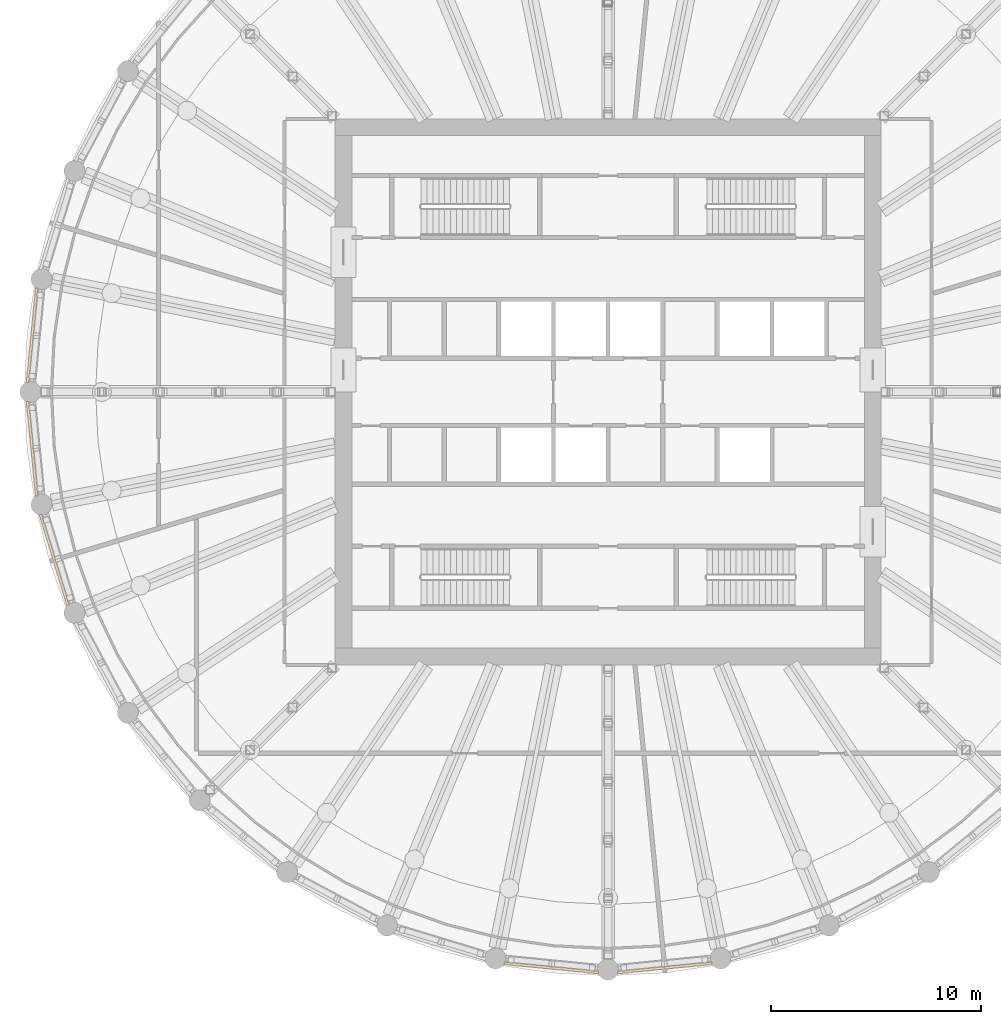
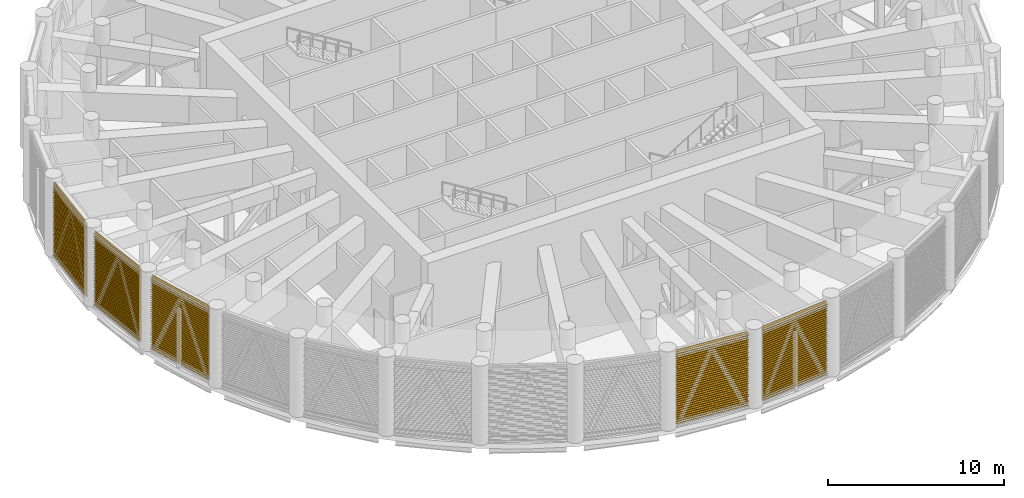
# One storey, part 18 of 24: 5 shading devices, 5 elements without a shape of their own.
"""IFC4 building model written with IfcOpenShell, lengths in metres."""

from ifc_helpers import new_model, si_unit, direction, frame, origin, place, context, subcontext, project, spatial, polyline, outline, extrude, material, material_profile, profile_set, type_object, element, aggregate, save


model = new_model("IFC4")

# Units and contexts
model_context = context("Model", 3, precision=1e-05, world=origin(), true_north=direction((0.0, 1.0)))
body_context = subcontext(model_context, "Body", "Model", "MODEL_VIEW")
ifc_project = project(units=[si_unit("LENGTHUNIT", "METRE"), si_unit("AREAUNIT", "SQUARE_METRE"), si_unit("VOLUMEUNIT", "CUBIC_METRE"), si_unit("PLANEANGLEUNIT", "RADIAN"), si_unit("MASSUNIT", "GRAM", prefix="KILO")], contexts=[model_context])

# Site, building, storey
site_placement = place(None, origin())
site = spatial("IfcSite", under=ifc_project, at=site_placement, CompositionType="ELEMENT")
building_placement = place(site_placement, origin())
building = spatial("IfcBuilding", under=site, at=building_placement, Name="Corvane Civic Tower", CompositionType="ELEMENT")
storey_placement = place(building_placement, frame((0.0, 0.0, 257.5)))
storey = spatial("IfcBuildingStorey", under=building, at=storey_placement, Name="L61", CompositionType="ELEMENT", Elevation=257.5)

# Curtain wall, shading device
ifc_material_1 = material(Name="Anodised aluminium bronze", Category="aluminium")
curtain_wall_type = type_object("IfcCurtainWallType", Name="TOWER CW-LV LOUVRE SCREEN WALL", PredefinedType="NOTDEFINED", material=ifc_material_1)
curtain_wall_1_placement = place(storey_placement, origin())
curtain_wall_1 = element("IfcCurtainWall", 1, at=curtain_wall_1_placement, inside=storey, type_object=curtain_wall_type, Name="Louvre screen wall CW-LV L61 bay 16", PredefinedType="NOTDEFINED")
ifc_material_2 = material(Name="Anodised aluminium bronze", Category="aluminium")
ifc_material_profile = material_profile(ifc_material_2, outline(polyline([(-0.06005859375, -2.56494140625), (-0.0400390625, -2.56494140625), (0.06005859375, -2.492919921875), (0.06005859375, -2.472900390625), (-0.0400390625, -2.544921875), (-0.0400390625, -2.4140625), (0.06005859375, -2.342041015625), (0.06005859375, -2.322021484375), (-0.0400390625, -2.39404296875), (-0.0400390625, -2.26318359375), (0.06005859375, -2.191162109375), (0.06005859375, -2.171142578125), (-0.0400390625, -2.2431640625), (-0.0400390625, -2.1123046875), (0.06005859375, -2.040283203125), (0.06005859375, -2.0205078125), (-0.0400390625, -2.09228515625), (-0.0400390625, -1.96142578125), (0.06005859375, -1.889404296875), (0.06005859375, -1.869384765625), (-0.0400390625, -1.94140625), (-0.0400390625, -1.810546875), (0.06005859375, -1.738525390625), (0.06005859375, -1.718505859375), (-0.0400390625, -1.79052734375), (-0.0400390625, -1.65966796875), (0.06005859375, -1.587646484375), (0.06005859375, -1.567626953125), (-0.0400390625, -1.6396484375), (-0.0400390625, -1.5087890625), (0.06005859375, -1.436767578125), (0.06005859375, -1.416748046875), (-0.0400390625, -1.48876953125), (-0.0400390625, -1.35791015625), (0.06005859375, -1.285888671875), (0.06005859375, -1.265869140625), (-0.0400390625, -1.337890625), (-0.0400390625, -1.20703125), (0.06005859375, -1.135009765625), (0.06005859375, -1.114990234375), (-0.0400390625, -1.18701171875), (-0.0400390625, -1.05615234375), (0.06005859375, -0.984130859375), (0.06005859375, -0.964111328125), (-0.0400390625, -1.0361328125), (-0.0400390625, -0.9052734375), (0.06005859375, -0.833251953125), (0.06005859375, -0.813232421875), (-0.0400390625, -0.88525390625), (-0.0400390625, -0.75439453125), (0.06005859375, -0.682373046875), (0.06005859375, -0.662353515625), (-0.0400390625, -0.734375), (-0.0400390625, -0.603515625), (0.06005859375, -0.531494140625), (0.06005859375, -0.511474609375), (-0.0400390625, -0.58349609375), (-0.0400390625, -0.45263671875), (0.06005859375, -0.380615234375), (0.06005859375, -0.360595703125), (-0.0400390625, -0.4326171875), (-0.0400390625, -0.3017578125), (0.06005859375, -0.229736328125), (0.06005859375, -0.209716796875), (-0.0400390625, -0.28173828125), (-0.0400390625, -0.15087890625), (0.06005859375, -0.078857421875), (0.06005859375, -0.058837890625), (-0.0400390625, -0.130859375), (-0.0400390625, 0.0), (0.06005859375, 0.072021484375), (0.06005859375, 0.092041015625), (-0.0400390625, 0.02001953125), (-0.0400390625, 0.15087890625), (0.06005859375, 0.222900390625), (0.06005859375, 0.242919921875), (-0.0400390625, 0.1708984375), (-0.0400390625, 0.3017578125), (0.06005859375, 0.373779296875), (0.06005859375, 0.393798828125), (-0.0400390625, 0.32177734375), (-0.0400390625, 0.45263671875), (0.06005859375, 0.524658203125), (0.06005859375, 0.544677734375), (-0.0400390625, 0.47265625), (-0.0400390625, 0.603515625), (0.06005859375, 0.675537109375), (0.06005859375, 0.695556640625), (-0.0400390625, 0.62353515625), (-0.0400390625, 0.75439453125), (0.06005859375, 0.826416015625), (0.06005859375, 0.846435546875), (-0.0400390625, 0.7744140625), (-0.0400390625, 0.9052734375), (0.06005859375, 0.977294921875), (0.06005859375, 0.997314453125), (-0.0400390625, 0.92529296875), (-0.0400390625, 1.05615234375), (0.06005859375, 1.128173828125), (0.06005859375, 1.148193359375), (-0.0400390625, 1.076171875), (-0.0400390625, 1.20703125), (0.06005859375, 1.279052734375), (0.06005859375, 1.299072265625), (-0.0400390625, 1.22705078125), (-0.0400390625, 1.35791015625), (0.06005859375, 1.429931640625), (0.06005859375, 1.449951171875), (-0.0400390625, 1.3779296875), (-0.0400390625, 1.5087890625), (0.06005859375, 1.580810546875), (0.06005859375, 1.600830078125), (-0.0400390625, 1.52880859375), (-0.0400390625, 1.65966796875), (0.06005859375, 1.731689453125), (0.06005859375, 1.751708984375), (-0.0400390625, 1.6796875), (-0.0400390625, 1.810546875), (0.06005859375, 1.882568359375), (0.06005859375, 1.902587890625), (-0.0400390625, 1.83056640625), (-0.0400390625, 1.96142578125), (0.06005859375, 2.033447265625), (0.06005859375, 2.053466796875), (-0.0400390625, 1.9814453125), (-0.0400390625, 2.1123046875), (0.06005859375, 2.184326171875), (0.06005859375, 2.204345703125), (-0.0400390625, 2.13232421875), (-0.0400390625, 2.26318359375), (0.06005859375, 2.335205078125), (0.06005859375, 2.355224609375), (-0.0400390625, 2.283203125), (-0.0400390625, 2.4140625), (0.06005859375, 2.486083984375), (0.06005859375, 2.506103515625), (-0.0400390625, 2.43408203125), (-0.0400390625, 2.56494140625), (-0.06005859375, 2.56494140625), (-0.06005859375, -2.56494140625)])), Name="TOWER LOUVRE BANK 5130 BRONZE")
ifc_profile_set = profile_set([ifc_material_profile], Name="Anodised aluminium bronze")
shading_device_type = type_object("IfcShadingDeviceType", Name="TOWER LOUVRE BANK 5130 BRONZE", PredefinedType="USERDEFINED", material=ifc_profile_set)
shading_device_1_placement = place(storey_placement, frame((4.94775390625, -27.192626953125, 2.68505859375), z_axis=(-0.995182207386, -0.098042715701, 0.0), x_axis=(0.098042715701, -0.995182207386, 0.0)))
shading_device_1 = element("IfcShadingDevice", 2, at=shading_device_1_placement, type_object=shading_device_type, Name="Louvre bank L61 16.1", ObjectType="LOUVRE", PredefinedType="USERDEFINED", context=body_context, shape_type="SweptSolid", body=[
    extrude(outline(polyline([(-0.06005859375, -2.56494140625), (-0.0400390625, -2.56494140625), (0.06005859375, -2.492919921875), (0.06005859375, -2.472900390625), (-0.0400390625, -2.544921875), (-0.0400390625, -2.4140625), (0.06005859375, -2.342041015625), (0.06005859375, -2.322021484375), (-0.0400390625, -2.39404296875), (-0.0400390625, -2.26318359375), (0.06005859375, -2.191162109375), (0.06005859375, -2.171142578125), (-0.0400390625, -2.2431640625), (-0.0400390625, -2.1123046875), (0.06005859375, -2.040283203125), (0.06005859375, -2.0205078125), (-0.0400390625, -2.09228515625), (-0.0400390625, -1.96142578125), (0.06005859375, -1.889404296875), (0.06005859375, -1.869384765625), (-0.0400390625, -1.94140625), (-0.0400390625, -1.810546875), (0.06005859375, -1.738525390625), (0.06005859375, -1.718505859375), (-0.0400390625, -1.79052734375), (-0.0400390625, -1.65966796875), (0.06005859375, -1.587646484375), (0.06005859375, -1.567626953125), (-0.0400390625, -1.6396484375), (-0.0400390625, -1.5087890625), (0.06005859375, -1.436767578125), (0.06005859375, -1.416748046875), (-0.0400390625, -1.48876953125), (-0.0400390625, -1.35791015625), (0.06005859375, -1.285888671875), (0.06005859375, -1.265869140625), (-0.0400390625, -1.337890625), (-0.0400390625, -1.20703125), (0.06005859375, -1.135009765625), (0.06005859375, -1.114990234375), (-0.0400390625, -1.18701171875), (-0.0400390625, -1.05615234375), (0.06005859375, -0.984130859375), (0.06005859375, -0.964111328125), (-0.0400390625, -1.0361328125), (-0.0400390625, -0.9052734375), (0.06005859375, -0.833251953125), (0.06005859375, -0.813232421875), (-0.0400390625, -0.88525390625), (-0.0400390625, -0.75439453125), (0.06005859375, -0.682373046875), (0.06005859375, -0.662353515625), (-0.0400390625, -0.734375), (-0.0400390625, -0.603515625), (0.06005859375, -0.531494140625), (0.06005859375, -0.511474609375), (-0.0400390625, -0.58349609375), (-0.0400390625, -0.45263671875), (0.06005859375, -0.380615234375), (0.06005859375, -0.360595703125), (-0.0400390625, -0.4326171875), (-0.0400390625, -0.3017578125), (0.06005859375, -0.229736328125), (0.06005859375, -0.209716796875), (-0.0400390625, -0.28173828125), (-0.0400390625, -0.15087890625), (0.06005859375, -0.078857421875), (0.06005859375, -0.058837890625), (-0.0400390625, -0.130859375), (-0.0400390625, 0.0), (0.06005859375, 0.072021484375), (0.06005859375, 0.092041015625), (-0.0400390625, 0.02001953125), (-0.0400390625, 0.15087890625), (0.06005859375, 0.222900390625), (0.06005859375, 0.242919921875), (-0.0400390625, 0.1708984375), (-0.0400390625, 0.3017578125), (0.06005859375, 0.373779296875), (0.06005859375, 0.393798828125), (-0.0400390625, 0.32177734375), (-0.0400390625, 0.45263671875), (0.06005859375, 0.524658203125), (0.06005859375, 0.544677734375), (-0.0400390625, 0.47265625), (-0.0400390625, 0.603515625), (0.06005859375, 0.675537109375), (0.06005859375, 0.695556640625), (-0.0400390625, 0.62353515625), (-0.0400390625, 0.75439453125), (0.06005859375, 0.826416015625), (0.06005859375, 0.846435546875), (-0.0400390625, 0.7744140625), (-0.0400390625, 0.9052734375), (0.06005859375, 0.977294921875), (0.06005859375, 0.997314453125), (-0.0400390625, 0.92529296875), (-0.0400390625, 1.05615234375), (0.06005859375, 1.128173828125), (0.06005859375, 1.148193359375), (-0.0400390625, 1.076171875), (-0.0400390625, 1.20703125), (0.06005859375, 1.279052734375), (0.06005859375, 1.299072265625), (-0.0400390625, 1.22705078125), (-0.0400390625, 1.35791015625), (0.06005859375, 1.429931640625), (0.06005859375, 1.449951171875), (-0.0400390625, 1.3779296875), (-0.0400390625, 1.5087890625), (0.06005859375, 1.580810546875), (0.06005859375, 1.600830078125), (-0.0400390625, 1.52880859375), (-0.0400390625, 1.65966796875), (0.06005859375, 1.731689453125), (0.06005859375, 1.751708984375), (-0.0400390625, 1.6796875), (-0.0400390625, 1.810546875), (0.06005859375, 1.882568359375), (0.06005859375, 1.902587890625), (-0.0400390625, 1.83056640625), (-0.0400390625, 1.96142578125), (0.06005859375, 2.033447265625), (0.06005859375, 2.053466796875), (-0.0400390625, 1.9814453125), (-0.0400390625, 2.1123046875), (0.06005859375, 2.184326171875), (0.06005859375, 2.204345703125), (-0.0400390625, 2.13232421875), (-0.0400390625, 2.26318359375), (0.06005859375, 2.335205078125), (0.06005859375, 2.355224609375), (-0.0400390625, 2.283203125), (-0.0400390625, 2.4140625), (0.06005859375, 2.486083984375), (0.06005859375, 2.506103515625), (-0.0400390625, 2.43408203125), (-0.0400390625, 2.56494140625), (-0.06005859375, 2.56494140625), (-0.06005859375, -2.56494140625)])), origin(), (0.0, 0.0, 1.0), 4.51708984375),
])
aggregate(curtain_wall_1, [shading_device_1])

curtain_wall_2_placement = place(storey_placement, origin())
curtain_wall_2 = element("IfcCurtainWall", 3, at=curtain_wall_2_placement, inside=storey, type_object=curtain_wall_type, Name="Louvre screen wall CW-LV L61 bay 17", PredefinedType="NOTDEFINED")
shading_device_2_placement = place(storey_placement, frame((-0.452392578125, -27.635498046875, 2.68505859375), z_axis=(-0.995182207386, 0.098042715701, 0.0), x_axis=(-0.098042715701, -0.995182207386, 0.0)))
shading_device_2 = element("IfcShadingDevice", 4, at=shading_device_2_placement, type_object=shading_device_type, Name="Louvre bank L61 17.1", ObjectType="LOUVRE", PredefinedType="USERDEFINED", context=body_context, shape_type="SweptSolid", body=[
    extrude(outline(polyline([(-0.06005859375, -2.56494140625), (-0.0400390625, -2.56494140625), (0.06005859375, -2.492919921875), (0.06005859375, -2.472900390625), (-0.0400390625, -2.544921875), (-0.0400390625, -2.4140625), (0.06005859375, -2.342041015625), (0.06005859375, -2.322021484375), (-0.0400390625, -2.39404296875), (-0.0400390625, -2.26318359375), (0.06005859375, -2.191162109375), (0.06005859375, -2.171142578125), (-0.0400390625, -2.2431640625), (-0.0400390625, -2.1123046875), (0.06005859375, -2.040283203125), (0.06005859375, -2.0205078125), (-0.0400390625, -2.09228515625), (-0.0400390625, -1.96142578125), (0.06005859375, -1.889404296875), (0.06005859375, -1.869384765625), (-0.0400390625, -1.94140625), (-0.0400390625, -1.810546875), (0.06005859375, -1.738525390625), (0.06005859375, -1.718505859375), (-0.0400390625, -1.79052734375), (-0.0400390625, -1.65966796875), (0.06005859375, -1.587646484375), (0.06005859375, -1.567626953125), (-0.0400390625, -1.6396484375), (-0.0400390625, -1.5087890625), (0.06005859375, -1.436767578125), (0.06005859375, -1.416748046875), (-0.0400390625, -1.48876953125), (-0.0400390625, -1.35791015625), (0.06005859375, -1.285888671875), (0.06005859375, -1.265869140625), (-0.0400390625, -1.337890625), (-0.0400390625, -1.20703125), (0.06005859375, -1.135009765625), (0.06005859375, -1.114990234375), (-0.0400390625, -1.18701171875), (-0.0400390625, -1.05615234375), (0.06005859375, -0.984130859375), (0.06005859375, -0.964111328125), (-0.0400390625, -1.0361328125), (-0.0400390625, -0.9052734375), (0.06005859375, -0.833251953125), (0.06005859375, -0.813232421875), (-0.0400390625, -0.88525390625), (-0.0400390625, -0.75439453125), (0.06005859375, -0.682373046875), (0.06005859375, -0.662353515625), (-0.0400390625, -0.734375), (-0.0400390625, -0.603515625), (0.06005859375, -0.531494140625), (0.06005859375, -0.511474609375), (-0.0400390625, -0.58349609375), (-0.0400390625, -0.45263671875), (0.06005859375, -0.380615234375), (0.06005859375, -0.360595703125), (-0.0400390625, -0.4326171875), (-0.0400390625, -0.3017578125), (0.06005859375, -0.229736328125), (0.06005859375, -0.209716796875), (-0.0400390625, -0.28173828125), (-0.0400390625, -0.15087890625), (0.06005859375, -0.078857421875), (0.06005859375, -0.058837890625), (-0.0400390625, -0.130859375), (-0.0400390625, 0.0), (0.06005859375, 0.072021484375), (0.06005859375, 0.092041015625), (-0.0400390625, 0.02001953125), (-0.0400390625, 0.15087890625), (0.06005859375, 0.222900390625), (0.06005859375, 0.242919921875), (-0.0400390625, 0.1708984375), (-0.0400390625, 0.3017578125), (0.06005859375, 0.373779296875), (0.06005859375, 0.393798828125), (-0.0400390625, 0.32177734375), (-0.0400390625, 0.45263671875), (0.06005859375, 0.524658203125), (0.06005859375, 0.544677734375), (-0.0400390625, 0.47265625), (-0.0400390625, 0.603515625), (0.06005859375, 0.675537109375), (0.06005859375, 0.695556640625), (-0.0400390625, 0.62353515625), (-0.0400390625, 0.75439453125), (0.06005859375, 0.826416015625), (0.06005859375, 0.846435546875), (-0.0400390625, 0.7744140625), (-0.0400390625, 0.9052734375), (0.06005859375, 0.977294921875), (0.06005859375, 0.997314453125), (-0.0400390625, 0.92529296875), (-0.0400390625, 1.05615234375), (0.06005859375, 1.128173828125), (0.06005859375, 1.148193359375), (-0.0400390625, 1.076171875), (-0.0400390625, 1.20703125), (0.06005859375, 1.279052734375), (0.06005859375, 1.299072265625), (-0.0400390625, 1.22705078125), (-0.0400390625, 1.35791015625), (0.06005859375, 1.429931640625), (0.06005859375, 1.449951171875), (-0.0400390625, 1.3779296875), (-0.0400390625, 1.5087890625), (0.06005859375, 1.580810546875), (0.06005859375, 1.600830078125), (-0.0400390625, 1.52880859375), (-0.0400390625, 1.65966796875), (0.06005859375, 1.731689453125), (0.06005859375, 1.751708984375), (-0.0400390625, 1.6796875), (-0.0400390625, 1.810546875), (0.06005859375, 1.882568359375), (0.06005859375, 1.902587890625), (-0.0400390625, 1.83056640625), (-0.0400390625, 1.96142578125), (0.06005859375, 2.033447265625), (0.06005859375, 2.053466796875), (-0.0400390625, 1.9814453125), (-0.0400390625, 2.1123046875), (0.06005859375, 2.184326171875), (0.06005859375, 2.204345703125), (-0.0400390625, 2.13232421875), (-0.0400390625, 2.26318359375), (0.06005859375, 2.335205078125), (0.06005859375, 2.355224609375), (-0.0400390625, 2.283203125), (-0.0400390625, 2.4140625), (0.06005859375, 2.486083984375), (0.06005859375, 2.506103515625), (-0.0400390625, 2.43408203125), (-0.0400390625, 2.56494140625), (-0.06005859375, 2.56494140625), (-0.06005859375, -2.56494140625)])), origin(), (0.0, 0.0, 1.0), 4.51708984375),
])
aggregate(curtain_wall_2, [shading_device_2])

curtain_wall_3_placement = place(storey_placement, origin())
curtain_wall_3 = element("IfcCurtainWall", 5, at=curtain_wall_3_placement, inside=storey, type_object=curtain_wall_type, Name="Louvre screen wall CW-LV L61 bay 23", PredefinedType="NOTDEFINED")
shading_device_3_placement = place(storey_placement, frame((-25.705078125, -10.15771484375, 2.68505859375), z_axis=(-0.2902818869, 0.956941182173, 0.0), x_axis=(-0.956941182173, -0.2902818869, 0.0)))
shading_device_3 = element("IfcShadingDevice", 6, at=shading_device_3_placement, type_object=shading_device_type, Name="Louvre bank L61 23.1", ObjectType="LOUVRE", PredefinedType="USERDEFINED", context=body_context, shape_type="SweptSolid", body=[
    extrude(outline(polyline([(-0.06005859375, -2.56494140625), (-0.0400390625, -2.56494140625), (0.06005859375, -2.492919921875), (0.06005859375, -2.472900390625), (-0.0400390625, -2.544921875), (-0.0400390625, -2.4140625), (0.06005859375, -2.342041015625), (0.06005859375, -2.322021484375), (-0.0400390625, -2.39404296875), (-0.0400390625, -2.26318359375), (0.06005859375, -2.191162109375), (0.06005859375, -2.171142578125), (-0.0400390625, -2.2431640625), (-0.0400390625, -2.1123046875), (0.06005859375, -2.040283203125), (0.06005859375, -2.0205078125), (-0.0400390625, -2.09228515625), (-0.0400390625, -1.96142578125), (0.06005859375, -1.889404296875), (0.06005859375, -1.869384765625), (-0.0400390625, -1.94140625), (-0.0400390625, -1.810546875), (0.06005859375, -1.738525390625), (0.06005859375, -1.718505859375), (-0.0400390625, -1.79052734375), (-0.0400390625, -1.65966796875), (0.06005859375, -1.587646484375), (0.06005859375, -1.567626953125), (-0.0400390625, -1.6396484375), (-0.0400390625, -1.5087890625), (0.06005859375, -1.436767578125), (0.06005859375, -1.416748046875), (-0.0400390625, -1.48876953125), (-0.0400390625, -1.35791015625), (0.06005859375, -1.285888671875), (0.06005859375, -1.265869140625), (-0.0400390625, -1.337890625), (-0.0400390625, -1.20703125), (0.06005859375, -1.135009765625), (0.06005859375, -1.114990234375), (-0.0400390625, -1.18701171875), (-0.0400390625, -1.05615234375), (0.06005859375, -0.984130859375), (0.06005859375, -0.964111328125), (-0.0400390625, -1.0361328125), (-0.0400390625, -0.9052734375), (0.06005859375, -0.833251953125), (0.06005859375, -0.813232421875), (-0.0400390625, -0.88525390625), (-0.0400390625, -0.75439453125), (0.06005859375, -0.682373046875), (0.06005859375, -0.662353515625), (-0.0400390625, -0.734375), (-0.0400390625, -0.603515625), (0.06005859375, -0.531494140625), (0.06005859375, -0.511474609375), (-0.0400390625, -0.58349609375), (-0.0400390625, -0.45263671875), (0.06005859375, -0.380615234375), (0.06005859375, -0.360595703125), (-0.0400390625, -0.4326171875), (-0.0400390625, -0.3017578125), (0.06005859375, -0.229736328125), (0.06005859375, -0.209716796875), (-0.0400390625, -0.28173828125), (-0.0400390625, -0.15087890625), (0.06005859375, -0.078857421875), (0.06005859375, -0.058837890625), (-0.0400390625, -0.130859375), (-0.0400390625, 0.0), (0.06005859375, 0.072021484375), (0.06005859375, 0.092041015625), (-0.0400390625, 0.02001953125), (-0.0400390625, 0.15087890625), (0.06005859375, 0.222900390625), (0.06005859375, 0.242919921875), (-0.0400390625, 0.1708984375), (-0.0400390625, 0.3017578125), (0.06005859375, 0.373779296875), (0.06005859375, 0.393798828125), (-0.0400390625, 0.32177734375), (-0.0400390625, 0.45263671875), (0.06005859375, 0.524658203125), (0.06005859375, 0.544677734375), (-0.0400390625, 0.47265625), (-0.0400390625, 0.603515625), (0.06005859375, 0.675537109375), (0.06005859375, 0.695556640625), (-0.0400390625, 0.62353515625), (-0.0400390625, 0.75439453125), (0.06005859375, 0.826416015625), (0.06005859375, 0.846435546875), (-0.0400390625, 0.7744140625), (-0.0400390625, 0.9052734375), (0.06005859375, 0.977294921875), (0.06005859375, 0.997314453125), (-0.0400390625, 0.92529296875), (-0.0400390625, 1.05615234375), (0.06005859375, 1.128173828125), (0.06005859375, 1.148193359375), (-0.0400390625, 1.076171875), (-0.0400390625, 1.20703125), (0.06005859375, 1.279052734375), (0.06005859375, 1.299072265625), (-0.0400390625, 1.22705078125), (-0.0400390625, 1.35791015625), (0.06005859375, 1.429931640625), (0.06005859375, 1.449951171875), (-0.0400390625, 1.3779296875), (-0.0400390625, 1.5087890625), (0.06005859375, 1.580810546875), (0.06005859375, 1.600830078125), (-0.0400390625, 1.52880859375), (-0.0400390625, 1.65966796875), (0.06005859375, 1.731689453125), (0.06005859375, 1.751708984375), (-0.0400390625, 1.6796875), (-0.0400390625, 1.810546875), (0.06005859375, 1.882568359375), (0.06005859375, 1.902587890625), (-0.0400390625, 1.83056640625), (-0.0400390625, 1.96142578125), (0.06005859375, 2.033447265625), (0.06005859375, 2.053466796875), (-0.0400390625, 1.9814453125), (-0.0400390625, 2.1123046875), (0.06005859375, 2.184326171875), (0.06005859375, 2.204345703125), (-0.0400390625, 2.13232421875), (-0.0400390625, 2.26318359375), (0.06005859375, 2.335205078125), (0.06005859375, 2.355224609375), (-0.0400390625, 2.283203125), (-0.0400390625, 2.4140625), (0.06005859375, 2.486083984375), (0.06005859375, 2.506103515625), (-0.0400390625, 2.43408203125), (-0.0400390625, 2.56494140625), (-0.06005859375, 2.56494140625), (-0.06005859375, -2.56494140625)])), origin(), (0.0, 0.0, 1.0), 4.517333984375),
])
aggregate(curtain_wall_3, [shading_device_3])

curtain_wall_4_placement = place(storey_placement, origin())
curtain_wall_4 = element("IfcCurtainWall", 7, at=curtain_wall_4_placement, inside=storey, type_object=curtain_wall_type, Name="Louvre screen wall CW-LV L61 bay 24", PredefinedType="NOTDEFINED")
shading_device_4_placement = place(storey_placement, frame((-27.192626953125, -4.94775390625, 2.68505859375), z_axis=(-0.098042715701, 0.995182207386, 0.0), x_axis=(-0.995182207386, -0.098042715701, 0.0)))
shading_device_4 = element("IfcShadingDevice", 8, at=shading_device_4_placement, type_object=shading_device_type, Name="Louvre bank L61 24.1", ObjectType="LOUVRE", PredefinedType="USERDEFINED", context=body_context, shape_type="SweptSolid", body=[
    extrude(outline(polyline([(-0.06005859375, -2.56494140625), (-0.0400390625, -2.56494140625), (0.06005859375, -2.492919921875), (0.06005859375, -2.472900390625), (-0.0400390625, -2.544921875), (-0.0400390625, -2.4140625), (0.06005859375, -2.342041015625), (0.06005859375, -2.322021484375), (-0.0400390625, -2.39404296875), (-0.0400390625, -2.26318359375), (0.06005859375, -2.191162109375), (0.06005859375, -2.171142578125), (-0.0400390625, -2.2431640625), (-0.0400390625, -2.1123046875), (0.06005859375, -2.040283203125), (0.06005859375, -2.0205078125), (-0.0400390625, -2.09228515625), (-0.0400390625, -1.96142578125), (0.06005859375, -1.889404296875), (0.06005859375, -1.869384765625), (-0.0400390625, -1.94140625), (-0.0400390625, -1.810546875), (0.06005859375, -1.738525390625), (0.06005859375, -1.718505859375), (-0.0400390625, -1.79052734375), (-0.0400390625, -1.65966796875), (0.06005859375, -1.587646484375), (0.06005859375, -1.567626953125), (-0.0400390625, -1.6396484375), (-0.0400390625, -1.5087890625), (0.06005859375, -1.436767578125), (0.06005859375, -1.416748046875), (-0.0400390625, -1.48876953125), (-0.0400390625, -1.35791015625), (0.06005859375, -1.285888671875), (0.06005859375, -1.265869140625), (-0.0400390625, -1.337890625), (-0.0400390625, -1.20703125), (0.06005859375, -1.135009765625), (0.06005859375, -1.114990234375), (-0.0400390625, -1.18701171875), (-0.0400390625, -1.05615234375), (0.06005859375, -0.984130859375), (0.06005859375, -0.964111328125), (-0.0400390625, -1.0361328125), (-0.0400390625, -0.9052734375), (0.06005859375, -0.833251953125), (0.06005859375, -0.813232421875), (-0.0400390625, -0.88525390625), (-0.0400390625, -0.75439453125), (0.06005859375, -0.682373046875), (0.06005859375, -0.662353515625), (-0.0400390625, -0.734375), (-0.0400390625, -0.603515625), (0.06005859375, -0.531494140625), (0.06005859375, -0.511474609375), (-0.0400390625, -0.58349609375), (-0.0400390625, -0.45263671875), (0.06005859375, -0.380615234375), (0.06005859375, -0.360595703125), (-0.0400390625, -0.4326171875), (-0.0400390625, -0.3017578125), (0.06005859375, -0.229736328125), (0.06005859375, -0.209716796875), (-0.0400390625, -0.28173828125), (-0.0400390625, -0.15087890625), (0.06005859375, -0.078857421875), (0.06005859375, -0.058837890625), (-0.0400390625, -0.130859375), (-0.0400390625, 0.0), (0.06005859375, 0.072021484375), (0.06005859375, 0.092041015625), (-0.0400390625, 0.02001953125), (-0.0400390625, 0.15087890625), (0.06005859375, 0.222900390625), (0.06005859375, 0.242919921875), (-0.0400390625, 0.1708984375), (-0.0400390625, 0.3017578125), (0.06005859375, 0.373779296875), (0.06005859375, 0.393798828125), (-0.0400390625, 0.32177734375), (-0.0400390625, 0.45263671875), (0.06005859375, 0.524658203125), (0.06005859375, 0.544677734375), (-0.0400390625, 0.47265625), (-0.0400390625, 0.603515625), (0.06005859375, 0.675537109375), (0.06005859375, 0.695556640625), (-0.0400390625, 0.62353515625), (-0.0400390625, 0.75439453125), (0.06005859375, 0.826416015625), (0.06005859375, 0.846435546875), (-0.0400390625, 0.7744140625), (-0.0400390625, 0.9052734375), (0.06005859375, 0.977294921875), (0.06005859375, 0.997314453125), (-0.0400390625, 0.92529296875), (-0.0400390625, 1.05615234375), (0.06005859375, 1.128173828125), (0.06005859375, 1.148193359375), (-0.0400390625, 1.076171875), (-0.0400390625, 1.20703125), (0.06005859375, 1.279052734375), (0.06005859375, 1.299072265625), (-0.0400390625, 1.22705078125), (-0.0400390625, 1.35791015625), (0.06005859375, 1.429931640625), (0.06005859375, 1.449951171875), (-0.0400390625, 1.3779296875), (-0.0400390625, 1.5087890625), (0.06005859375, 1.580810546875), (0.06005859375, 1.600830078125), (-0.0400390625, 1.52880859375), (-0.0400390625, 1.65966796875), (0.06005859375, 1.731689453125), (0.06005859375, 1.751708984375), (-0.0400390625, 1.6796875), (-0.0400390625, 1.810546875), (0.06005859375, 1.882568359375), (0.06005859375, 1.902587890625), (-0.0400390625, 1.83056640625), (-0.0400390625, 1.96142578125), (0.06005859375, 2.033447265625), (0.06005859375, 2.053466796875), (-0.0400390625, 1.9814453125), (-0.0400390625, 2.1123046875), (0.06005859375, 2.184326171875), (0.06005859375, 2.204345703125), (-0.0400390625, 2.13232421875), (-0.0400390625, 2.26318359375), (0.06005859375, 2.335205078125), (0.06005859375, 2.355224609375), (-0.0400390625, 2.283203125), (-0.0400390625, 2.4140625), (0.06005859375, 2.486083984375), (0.06005859375, 2.506103515625), (-0.0400390625, 2.43408203125), (-0.0400390625, 2.56494140625), (-0.06005859375, 2.56494140625), (-0.06005859375, -2.56494140625)])), origin(), (0.0, 0.0, 1.0), 4.51708984375),
])
aggregate(curtain_wall_4, [shading_device_4])

curtain_wall_5_placement = place(storey_placement, origin())
curtain_wall_5 = element("IfcCurtainWall", 9, at=curtain_wall_5_placement, inside=storey, type_object=curtain_wall_type, Name="Louvre screen wall CW-LV L61 bay 25", PredefinedType="NOTDEFINED")
shading_device_5_placement = place(storey_placement, frame((-27.635498046875, 0.452392578125, 2.68505859375), z_axis=(0.098042715701, 0.995182207386, 0.0), x_axis=(-0.995182207386, 0.098042715701, 0.0)))
shading_device_5 = element("IfcShadingDevice", 10, at=shading_device_5_placement, type_object=shading_device_type, Name="Louvre bank L61 25.1", ObjectType="LOUVRE", PredefinedType="USERDEFINED", context=body_context, shape_type="SweptSolid", body=[
    extrude(outline(polyline([(-0.06005859375, -2.56494140625), (-0.0400390625, -2.56494140625), (0.06005859375, -2.492919921875), (0.06005859375, -2.472900390625), (-0.0400390625, -2.544921875), (-0.0400390625, -2.4140625), (0.06005859375, -2.342041015625), (0.06005859375, -2.322021484375), (-0.0400390625, -2.39404296875), (-0.0400390625, -2.26318359375), (0.06005859375, -2.191162109375), (0.06005859375, -2.171142578125), (-0.0400390625, -2.2431640625), (-0.0400390625, -2.1123046875), (0.06005859375, -2.040283203125), (0.06005859375, -2.0205078125), (-0.0400390625, -2.09228515625), (-0.0400390625, -1.96142578125), (0.06005859375, -1.889404296875), (0.06005859375, -1.869384765625), (-0.0400390625, -1.94140625), (-0.0400390625, -1.810546875), (0.06005859375, -1.738525390625), (0.06005859375, -1.718505859375), (-0.0400390625, -1.79052734375), (-0.0400390625, -1.65966796875), (0.06005859375, -1.587646484375), (0.06005859375, -1.567626953125), (-0.0400390625, -1.6396484375), (-0.0400390625, -1.5087890625), (0.06005859375, -1.436767578125), (0.06005859375, -1.416748046875), (-0.0400390625, -1.48876953125), (-0.0400390625, -1.35791015625), (0.06005859375, -1.285888671875), (0.06005859375, -1.265869140625), (-0.0400390625, -1.337890625), (-0.0400390625, -1.20703125), (0.06005859375, -1.135009765625), (0.06005859375, -1.114990234375), (-0.0400390625, -1.18701171875), (-0.0400390625, -1.05615234375), (0.06005859375, -0.984130859375), (0.06005859375, -0.964111328125), (-0.0400390625, -1.0361328125), (-0.0400390625, -0.9052734375), (0.06005859375, -0.833251953125), (0.06005859375, -0.813232421875), (-0.0400390625, -0.88525390625), (-0.0400390625, -0.75439453125), (0.06005859375, -0.682373046875), (0.06005859375, -0.662353515625), (-0.0400390625, -0.734375), (-0.0400390625, -0.603515625), (0.06005859375, -0.531494140625), (0.06005859375, -0.511474609375), (-0.0400390625, -0.58349609375), (-0.0400390625, -0.45263671875), (0.06005859375, -0.380615234375), (0.06005859375, -0.360595703125), (-0.0400390625, -0.4326171875), (-0.0400390625, -0.3017578125), (0.06005859375, -0.229736328125), (0.06005859375, -0.209716796875), (-0.0400390625, -0.28173828125), (-0.0400390625, -0.15087890625), (0.06005859375, -0.078857421875), (0.06005859375, -0.058837890625), (-0.0400390625, -0.130859375), (-0.0400390625, 0.0), (0.06005859375, 0.072021484375), (0.06005859375, 0.092041015625), (-0.0400390625, 0.02001953125), (-0.0400390625, 0.15087890625), (0.06005859375, 0.222900390625), (0.06005859375, 0.242919921875), (-0.0400390625, 0.1708984375), (-0.0400390625, 0.3017578125), (0.06005859375, 0.373779296875), (0.06005859375, 0.393798828125), (-0.0400390625, 0.32177734375), (-0.0400390625, 0.45263671875), (0.06005859375, 0.524658203125), (0.06005859375, 0.544677734375), (-0.0400390625, 0.47265625), (-0.0400390625, 0.603515625), (0.06005859375, 0.675537109375), (0.06005859375, 0.695556640625), (-0.0400390625, 0.62353515625), (-0.0400390625, 0.75439453125), (0.06005859375, 0.826416015625), (0.06005859375, 0.846435546875), (-0.0400390625, 0.7744140625), (-0.0400390625, 0.9052734375), (0.06005859375, 0.977294921875), (0.06005859375, 0.997314453125), (-0.0400390625, 0.92529296875), (-0.0400390625, 1.05615234375), (0.06005859375, 1.128173828125), (0.06005859375, 1.148193359375), (-0.0400390625, 1.076171875), (-0.0400390625, 1.20703125), (0.06005859375, 1.279052734375), (0.06005859375, 1.299072265625), (-0.0400390625, 1.22705078125), (-0.0400390625, 1.35791015625), (0.06005859375, 1.429931640625), (0.06005859375, 1.449951171875), (-0.0400390625, 1.3779296875), (-0.0400390625, 1.5087890625), (0.06005859375, 1.580810546875), (0.06005859375, 1.600830078125), (-0.0400390625, 1.52880859375), (-0.0400390625, 1.65966796875), (0.06005859375, 1.731689453125), (0.06005859375, 1.751708984375), (-0.0400390625, 1.6796875), (-0.0400390625, 1.810546875), (0.06005859375, 1.882568359375), (0.06005859375, 1.902587890625), (-0.0400390625, 1.83056640625), (-0.0400390625, 1.96142578125), (0.06005859375, 2.033447265625), (0.06005859375, 2.053466796875), (-0.0400390625, 1.9814453125), (-0.0400390625, 2.1123046875), (0.06005859375, 2.184326171875), (0.06005859375, 2.204345703125), (-0.0400390625, 2.13232421875), (-0.0400390625, 2.26318359375), (0.06005859375, 2.335205078125), (0.06005859375, 2.355224609375), (-0.0400390625, 2.283203125), (-0.0400390625, 2.4140625), (0.06005859375, 2.486083984375), (0.06005859375, 2.506103515625), (-0.0400390625, 2.43408203125), (-0.0400390625, 2.56494140625), (-0.06005859375, 2.56494140625), (-0.06005859375, -2.56494140625)])), origin(), (0.0, 0.0, 1.0), 4.51708984375),
])
aggregate(curtain_wall_5, [shading_device_5])

save(model, "model.ifc")
